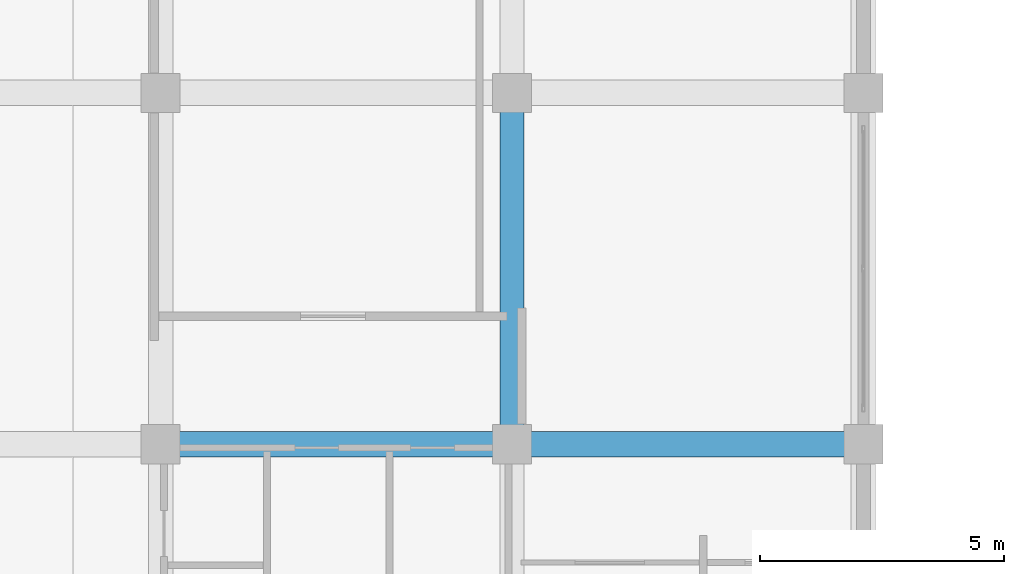
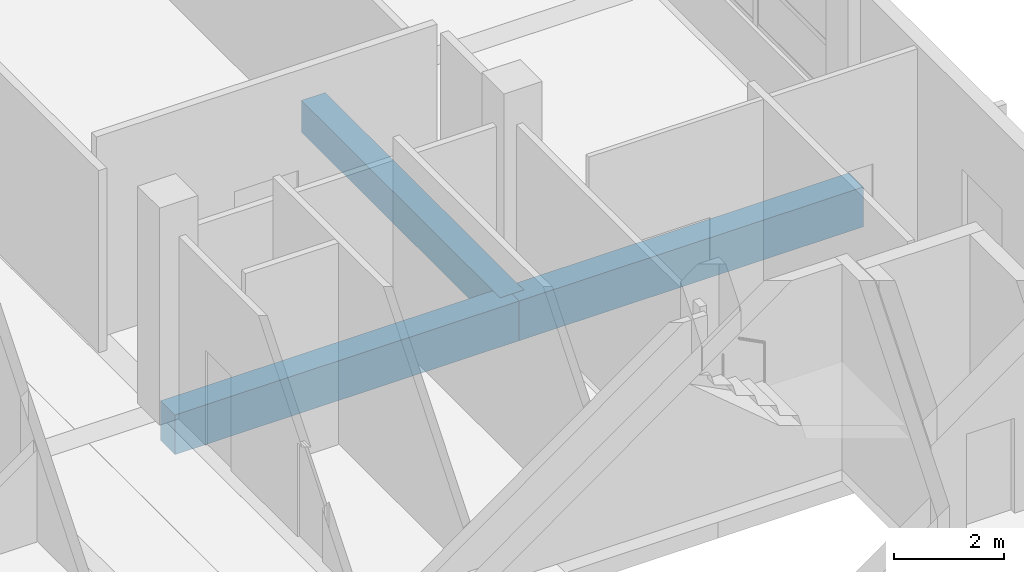
# One storey, part 21 of 140: 3 beams.
"""IFC4 building model written with IfcOpenShell, lengths in metres."""

from ifc_helpers import new_model, si_unit, direction, frame, origin, origin_2d, place, context, subcontext, project, spatial, rectangle, extrude, material, material_profile, profile_set, type_object, element, save


model = new_model("IFC4")

# Units and contexts
model_context = context("Model", 3, precision=1e-05, world=origin(), true_north=direction((0.0, 1.0)))
body_context = subcontext(model_context, "Body", "Model", "MODEL_VIEW")
ifc_project = project(units=[si_unit("LENGTHUNIT", "METRE"), si_unit("AREAUNIT", "SQUARE_METRE"), si_unit("VOLUMEUNIT", "CUBIC_METRE"), si_unit("PLANEANGLEUNIT", "RADIAN"), si_unit("MASSUNIT", "GRAM", prefix="KILO")], contexts=[model_context])

# Site, building, storey
site_placement = place(None, origin())
site = spatial("IfcSite", under=ifc_project, at=site_placement, CompositionType="ELEMENT")
building_placement = place(site_placement, origin())
building = spatial("IfcBuilding", under=site, at=building_placement, Name="Seraya Terrace Polytechnic", CompositionType="ELEMENT")
storey_placement = place(building_placement, frame((0.0, 0.0, 9.60009765625)))
storey = spatial("IfcBuildingStorey", under=building, at=storey_placement, Name="L02", CompositionType="ELEMENT", Elevation=9.60009765625)

# Beams
ifc_material = material(Name="Concrete C40/50", Category="concrete")
ifc_material_profile_1 = material_profile(ifc_material, rectangle(XDim=0.52001953125, YDim=0.8798828125, at=origin_2d()), Name="RC 520x880")
ifc_profile_set_1 = profile_set([ifc_material_profile_1], Name="Concrete C40/50")
beam_type_1 = type_object("IfcBeamType", Name="BM-04", PredefinedType="BEAM", material=ifc_profile_set_1)
for number, where, z_axis, x_axis, name in (
    (1, (28.800048828125, 50.39990234375, -0.440185546875), (1.0, 0.0, 0.0), (0.0, 1.0, 0.0), "Beam BM-04 L02 X (28.8..36.0, 50.4)"),
    (2, (36.0, 50.39990234375, -0.440185546875), (1.0, 0.0, 0.0), (0.0, 1.0, 0.0), "Beam BM-04 L02 X (36.0..43.2, 50.4)"),
):
    element("IfcBeam", number, at=place(storey_placement, frame(where, z_axis=z_axis, x_axis=x_axis)), inside=storey, type_object=beam_type_1, Name=name, PredefinedType="BEAM", context=body_context, shape_type="SweptSolid", body=[
        extrude(rectangle(XDim=0.52001953125, YDim=0.8798828125, at=origin_2d()), origin(), (0.0, 0.0, 1.0), 7.199951171875),
    ])
ifc_material_profile_2 = material_profile(ifc_material, rectangle(XDim=0.5, YDim=0.699951171875, at=origin_2d()), Name="RC 500x700")
ifc_profile_set_2 = profile_set([ifc_material_profile_2], Name="Concrete C40/50")
beam_type_2 = type_object("IfcBeamType", Name="BM-07", PredefinedType="BEAM", material=ifc_profile_set_2)
beam_placement = place(storey_placement, frame((36.0, 50.39990234375, -0.35009765625), z_axis=(0.0, 1.0, 0.0), x_axis=(-1.0, 0.0, 0.0)))
element("IfcBeam", 3, at=beam_placement, inside=storey, type_object=beam_type_2, Name="Beam BM-07 L02 Y (36.0, 50.4..57.6)", PredefinedType="BEAM", context=body_context, shape_type="SweptSolid", body=[
    extrude(rectangle(XDim=0.5, YDim=0.699951171875, at=origin_2d()), origin(), (0.0, 0.0, 1.0), 7.2001953125),
])

save(model, "model.ifc")
